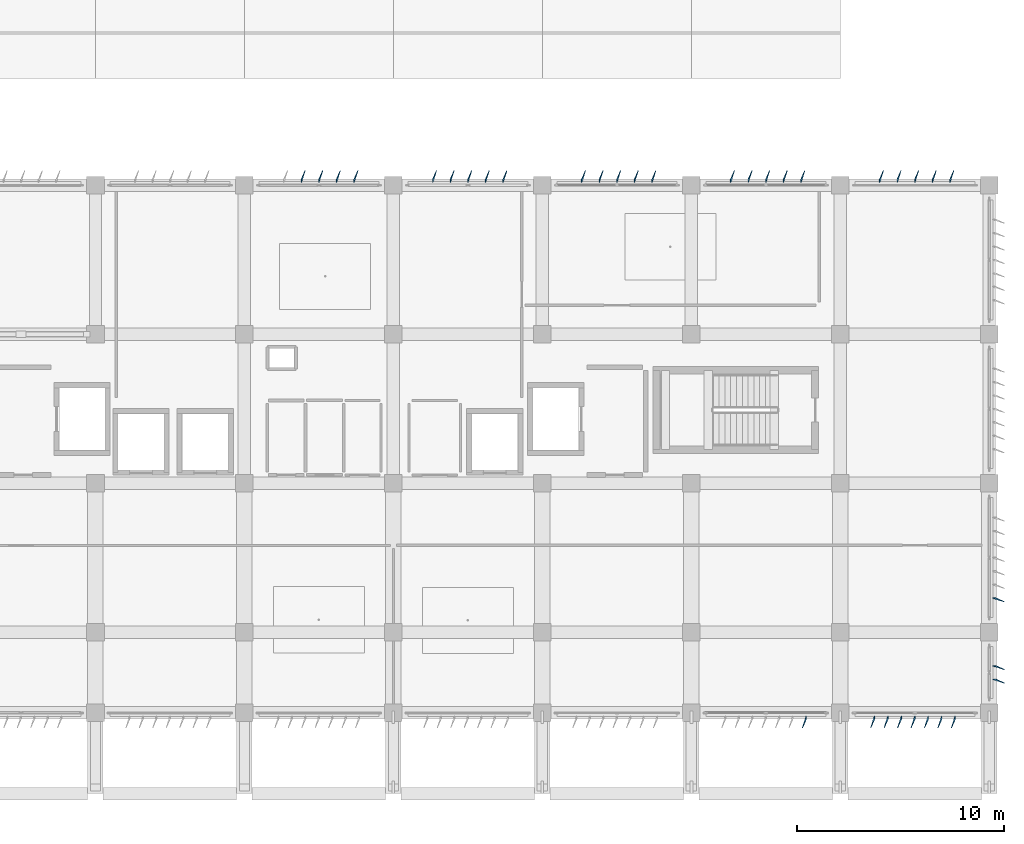
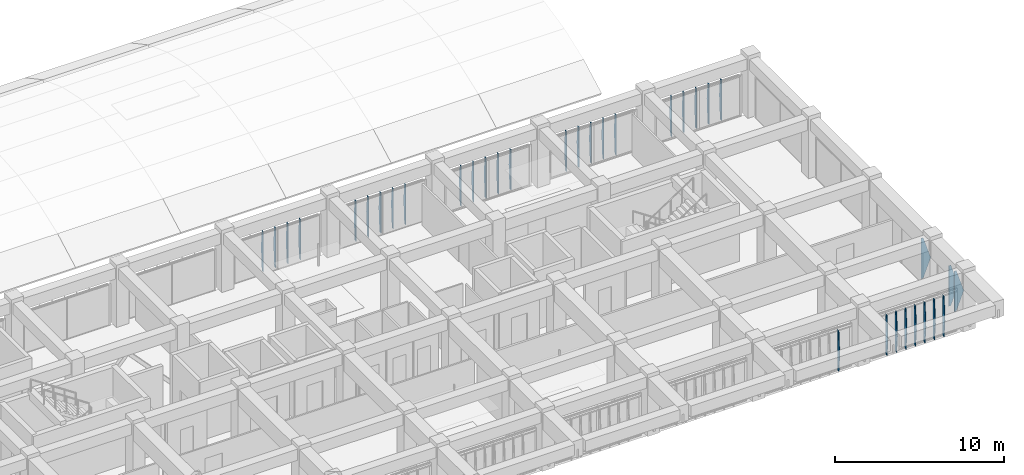
# One storey, part 52 of 56: 35 plates.
"""IFC4 building model written with IfcOpenShell, lengths in metres."""

from ifc_helpers import new_model, si_unit, direction, frame, origin, place, context, subcontext, project, spatial, polygons, material, layer, layer_set, type_object, element, save


model = new_model("IFC4")

# Units and contexts
model_context = context("Model", 3, precision=1e-05, world=origin(), true_north=direction((0.0, 1.0)))
body_context = subcontext(model_context, "Body", "Model", "MODEL_VIEW")
ifc_project = project(units=[si_unit("LENGTHUNIT", "METRE"), si_unit("AREAUNIT", "SQUARE_METRE"), si_unit("VOLUMEUNIT", "CUBIC_METRE"), si_unit("PLANEANGLEUNIT", "RADIAN"), si_unit("MASSUNIT", "GRAM", prefix="KILO")], contexts=[model_context])

# Site, building, storey
site_placement = place(None, origin())
site = spatial("IfcSite", under=ifc_project, at=site_placement, CompositionType="ELEMENT")
building_placement = place(site_placement, origin())
building = spatial("IfcBuilding", under=site, at=building_placement, Name="Kazehaya Institute of Natural Sciences", CompositionType="ELEMENT")
storey_placement = place(building_placement, frame((0.0, 0.0, 24.300048828125)))
storey = spatial("IfcBuildingStorey", under=building, at=storey_placement, Name="L05", CompositionType="ELEMENT", Elevation=24.300048828125)

# Plates
ifc_material = material(Name="Bronze-anodised aluminium alloy A6063S-T5", Category="aluminium")
ifc_layer_1 = layer(ifc_material, 0.02001953125, Name="Bronze-anodised aluminium alloy A6063S-T5", Category="aluminium")
ifc_layer_set_1 = layer_set([ifc_layer_1], Name="Bronze-anodised aluminium alloy A6063S-T5")
plate_type_1 = type_object("IfcPlateType", Name="FIN-DF-E1", PredefinedType="USERDEFINED", material=ifc_layer_set_1)
plate_1_placement = place(storey_placement, origin())
element("IfcPlate", 1, at=plate_1_placement, inside=storey, type_object=plate_type_1, Name="L05 folded diamond-pyramid shading fin FIN-L05-E-0342", ObjectType="SHADING_FIN", PredefinedType="USERDEFINED", context=body_context, shape_type="Tessellation", body=[
    polygons([(119.554931640625, 12.385009765625, 0.0400390625), (119.699951171875, 12.385009765625, 0.0400390625), (120.110107421875, 12.206298828125, 1.5), (119.699951171875, 12.385009765625, 2.9599609375), (119.554931640625, 12.385009765625, 2.9599609375), (119.554931640625, 12.364990234375, 0.0400390625), (119.699951171875, 12.364990234375, 0.0400390625), (120.110107421875, 12.186279296875, 1.5), (119.699951171875, 12.364990234375, 2.9599609375), (119.554931640625, 12.364990234375, 2.9599609375)], [[[1, 5, 4, 3, 2]], [[6, 7, 8, 9, 10]], [[1, 2, 7, 6]], [[2, 3, 8, 7]], [[3, 4, 9, 8]], [[4, 5, 10, 9]], [[5, 1, 6, 10]]], closed=True),
])
plate_2_placement = place(storey_placement, origin())
element("IfcPlate", 2, at=plate_2_placement, inside=storey, type_object=plate_type_1, Name="L05 folded diamond-pyramid shading fin FIN-L05-E-0343", ObjectType="SHADING_FIN", PredefinedType="USERDEFINED", context=body_context, shape_type="Tessellation", body=[
    polygons([(119.554931640625, 11.735107421875, 0.0400390625), (119.699951171875, 11.735107421875, 0.0400390625), (120.110107421875, 11.556396484375, 1.5), (119.699951171875, 11.735107421875, 2.9599609375), (119.554931640625, 11.735107421875, 2.9599609375), (119.554931640625, 11.715087890625, 0.0400390625), (119.699951171875, 11.715087890625, 0.0400390625), (120.110107421875, 11.536376953125, 1.5), (119.699951171875, 11.715087890625, 2.9599609375), (119.554931640625, 11.715087890625, 2.9599609375)], [[[1, 5, 4, 3, 2]], [[6, 7, 8, 9, 10]], [[1, 2, 7, 6]], [[2, 3, 8, 7]], [[3, 4, 9, 8]], [[4, 5, 10, 9]], [[5, 1, 6, 10]]], closed=True),
])
plate_3_placement = place(storey_placement, origin())
element("IfcPlate", 3, at=plate_3_placement, inside=storey, type_object=plate_type_1, Name="L05 folded diamond-pyramid shading fin FIN-L05-E-0357", ObjectType="SHADING_FIN", PredefinedType="USERDEFINED", context=body_context, shape_type="Tessellation", body=[
    polygons([(119.554931640625, 15.659912109375, 0.0400390625), (119.699951171875, 15.659912109375, 0.0400390625), (120.110107421875, 15.481201171875, 1.5), (119.699951171875, 15.659912109375, 2.9599609375), (119.554931640625, 15.659912109375, 2.9599609375), (119.554931640625, 15.639892578125, 0.0400390625), (119.699951171875, 15.639892578125, 0.0400390625), (120.110107421875, 15.461181640625, 1.5), (119.699951171875, 15.639892578125, 2.9599609375), (119.554931640625, 15.639892578125, 2.9599609375)], [[[1, 5, 4, 3, 2]], [[6, 7, 8, 9, 10]], [[1, 2, 7, 6]], [[2, 3, 8, 7]], [[3, 4, 9, 8]], [[4, 5, 10, 9]], [[5, 1, 6, 10]]], closed=True),
])
ifc_layer_2 = layer(ifc_material, 0.02001953125, Name="Bronze-anodised aluminium alloy A6063S-T5", Category="aluminium")
ifc_layer_set_2 = layer_set([ifc_layer_2], Name="Bronze-anodised aluminium alloy A6063S-T5")
plate_type_2 = type_object("IfcPlateType", Name="FIN-DF-N1", PredefinedType="USERDEFINED", material=ifc_layer_set_2)
plate_4_placement = place(storey_placement, origin())
element("IfcPlate", 4, at=plate_4_placement, inside=storey, type_object=plate_type_2, Name="L05 folded diamond-pyramid shading fin FIN-L05-N-0316", ObjectType="SHADING_FIN", PredefinedType="USERDEFINED", context=body_context, shape_type="Tessellation", body=[
    polygons([(86.139892578125, 35.7548828125, 0.0400390625), (86.139892578125, 35.89990234375, 0.0400390625), (86.318603515625, 36.31005859375, 1.5), (86.139892578125, 35.89990234375, 2.9599609375), (86.139892578125, 35.7548828125, 2.9599609375), (86.159912109375, 35.7548828125, 0.0400390625), (86.159912109375, 35.89990234375, 0.0400390625), (86.338623046875, 36.31005859375, 1.5), (86.159912109375, 35.89990234375, 2.9599609375), (86.159912109375, 35.7548828125, 2.9599609375)], [[[1, 5, 4, 3, 2]], [[6, 7, 8, 9, 10]], [[1, 2, 7, 6]], [[2, 3, 8, 7]], [[3, 4, 9, 8]], [[4, 5, 10, 9]], [[5, 1, 6, 10]]], closed=True),
])
plate_5_placement = place(storey_placement, origin())
element("IfcPlate", 5, at=plate_5_placement, inside=storey, type_object=plate_type_2, Name="L05 folded diamond-pyramid shading fin FIN-L05-N-0317", ObjectType="SHADING_FIN", PredefinedType="USERDEFINED", context=body_context, shape_type="Tessellation", body=[
    polygons([(86.989990234375, 35.7548828125, 0.0400390625), (86.989990234375, 35.89990234375, 0.0400390625), (87.168701171875, 36.31005859375, 1.5), (86.989990234375, 35.89990234375, 2.9599609375), (86.989990234375, 35.7548828125, 2.9599609375), (87.010009765625, 35.7548828125, 0.0400390625), (87.010009765625, 35.89990234375, 0.0400390625), (87.188720703125, 36.31005859375, 1.5), (87.010009765625, 35.89990234375, 2.9599609375), (87.010009765625, 35.7548828125, 2.9599609375)], [[[1, 5, 4, 3, 2]], [[6, 7, 8, 9, 10]], [[1, 2, 7, 6]], [[2, 3, 8, 7]], [[3, 4, 9, 8]], [[4, 5, 10, 9]], [[5, 1, 6, 10]]], closed=True),
])
plate_6_placement = place(storey_placement, origin())
element("IfcPlate", 6, at=plate_6_placement, inside=storey, type_object=plate_type_2, Name="L05 folded diamond-pyramid shading fin FIN-L05-N-0318", ObjectType="SHADING_FIN", PredefinedType="USERDEFINED", context=body_context, shape_type="Tessellation", body=[
    polygons([(87.840087890625, 35.7548828125, 0.0400390625), (87.840087890625, 35.89990234375, 0.0400390625), (88.018798828125, 36.31005859375, 1.5), (87.840087890625, 35.89990234375, 2.9599609375), (87.840087890625, 35.7548828125, 2.9599609375), (87.860107421875, 35.7548828125, 0.0400390625), (87.860107421875, 35.89990234375, 0.0400390625), (88.038818359375, 36.31005859375, 1.5), (87.860107421875, 35.89990234375, 2.9599609375), (87.860107421875, 35.7548828125, 2.9599609375)], [[[1, 5, 4, 3, 2]], [[6, 7, 8, 9, 10]], [[1, 2, 7, 6]], [[2, 3, 8, 7]], [[3, 4, 9, 8]], [[4, 5, 10, 9]], [[5, 1, 6, 10]]], closed=True),
])
plate_7_placement = place(storey_placement, origin())
element("IfcPlate", 7, at=plate_7_placement, inside=storey, type_object=plate_type_2, Name="L05 folded diamond-pyramid shading fin FIN-L05-N-0319", ObjectType="SHADING_FIN", PredefinedType="USERDEFINED", context=body_context, shape_type="Tessellation", body=[
    polygons([(88.68994140625, 35.7548828125, 0.0400390625), (88.68994140625, 35.89990234375, 0.0400390625), (88.86865234375, 36.31005859375, 1.5), (88.68994140625, 35.89990234375, 2.9599609375), (88.68994140625, 35.7548828125, 2.9599609375), (88.7099609375, 35.7548828125, 0.0400390625), (88.7099609375, 35.89990234375, 0.0400390625), (88.888671875, 36.31005859375, 1.5), (88.7099609375, 35.89990234375, 2.9599609375), (88.7099609375, 35.7548828125, 2.9599609375)], [[[1, 5, 4, 3, 2]], [[6, 7, 8, 9, 10]], [[1, 2, 7, 6]], [[2, 3, 8, 7]], [[3, 4, 9, 8]], [[4, 5, 10, 9]], [[5, 1, 6, 10]]], closed=True),
])
plate_8_placement = place(storey_placement, origin())
element("IfcPlate", 8, at=plate_8_placement, inside=storey, type_object=plate_type_2, Name="L05 folded diamond-pyramid shading fin FIN-L05-N-0320", ObjectType="SHADING_FIN", PredefinedType="USERDEFINED", context=body_context, shape_type="Tessellation", body=[
    polygons([(92.489990234375, 35.7548828125, 0.0400390625), (92.489990234375, 35.89990234375, 0.0400390625), (92.668701171875, 36.31005859375, 1.5), (92.489990234375, 35.89990234375, 2.9599609375), (92.489990234375, 35.7548828125, 2.9599609375), (92.510009765625, 35.7548828125, 0.0400390625), (92.510009765625, 35.89990234375, 0.0400390625), (92.688720703125, 36.31005859375, 1.5), (92.510009765625, 35.89990234375, 2.9599609375), (92.510009765625, 35.7548828125, 2.9599609375)], [[[1, 5, 4, 3, 2]], [[6, 7, 8, 9, 10]], [[1, 2, 7, 6]], [[2, 3, 8, 7]], [[3, 4, 9, 8]], [[4, 5, 10, 9]], [[5, 1, 6, 10]]], closed=True),
])
plate_9_placement = place(storey_placement, origin())
element("IfcPlate", 9, at=plate_9_placement, inside=storey, type_object=plate_type_2, Name="L05 folded diamond-pyramid shading fin FIN-L05-N-0321", ObjectType="SHADING_FIN", PredefinedType="USERDEFINED", context=body_context, shape_type="Tessellation", body=[
    polygons([(93.340087890625, 35.7548828125, 0.0400390625), (93.340087890625, 35.89990234375, 0.0400390625), (93.518798828125, 36.31005859375, 1.5), (93.340087890625, 35.89990234375, 2.9599609375), (93.340087890625, 35.7548828125, 2.9599609375), (93.360107421875, 35.7548828125, 0.0400390625), (93.360107421875, 35.89990234375, 0.0400390625), (93.538818359375, 36.31005859375, 1.5), (93.360107421875, 35.89990234375, 2.9599609375), (93.360107421875, 35.7548828125, 2.9599609375)], [[[1, 5, 4, 3, 2]], [[6, 7, 8, 9, 10]], [[1, 2, 7, 6]], [[2, 3, 8, 7]], [[3, 4, 9, 8]], [[4, 5, 10, 9]], [[5, 1, 6, 10]]], closed=True),
])
plate_10_placement = place(storey_placement, origin())
element("IfcPlate", 10, at=plate_10_placement, inside=storey, type_object=plate_type_2, Name="L05 folded diamond-pyramid shading fin FIN-L05-N-0322", ObjectType="SHADING_FIN", PredefinedType="USERDEFINED", context=body_context, shape_type="Tessellation", body=[
    polygons([(94.18994140625, 35.7548828125, 0.0400390625), (94.18994140625, 35.89990234375, 0.0400390625), (94.36865234375, 36.31005859375, 1.5), (94.18994140625, 35.89990234375, 2.9599609375), (94.18994140625, 35.7548828125, 2.9599609375), (94.2099609375, 35.7548828125, 0.0400390625), (94.2099609375, 35.89990234375, 0.0400390625), (94.388671875, 36.31005859375, 1.5), (94.2099609375, 35.89990234375, 2.9599609375), (94.2099609375, 35.7548828125, 2.9599609375)], [[[1, 5, 4, 3, 2]], [[6, 7, 8, 9, 10]], [[1, 2, 7, 6]], [[2, 3, 8, 7]], [[3, 4, 9, 8]], [[4, 5, 10, 9]], [[5, 1, 6, 10]]], closed=True),
])
plate_11_placement = place(storey_placement, origin())
element("IfcPlate", 11, at=plate_11_placement, inside=storey, type_object=plate_type_2, Name="L05 folded diamond-pyramid shading fin FIN-L05-N-0323", ObjectType="SHADING_FIN", PredefinedType="USERDEFINED", context=body_context, shape_type="Tessellation", body=[
    polygons([(95.0400390625, 35.7548828125, 0.0400390625), (95.0400390625, 35.89990234375, 0.0400390625), (95.21875, 36.31005859375, 1.5), (95.0400390625, 35.89990234375, 2.9599609375), (95.0400390625, 35.7548828125, 2.9599609375), (95.06005859375, 35.7548828125, 0.0400390625), (95.06005859375, 35.89990234375, 0.0400390625), (95.23876953125, 36.31005859375, 1.5), (95.06005859375, 35.89990234375, 2.9599609375), (95.06005859375, 35.7548828125, 2.9599609375)], [[[1, 5, 4, 3, 2]], [[6, 7, 8, 9, 10]], [[1, 2, 7, 6]], [[2, 3, 8, 7]], [[3, 4, 9, 8]], [[4, 5, 10, 9]], [[5, 1, 6, 10]]], closed=True),
])
plate_12_placement = place(storey_placement, origin())
element("IfcPlate", 12, at=plate_12_placement, inside=storey, type_object=plate_type_2, Name="L05 folded diamond-pyramid shading fin FIN-L05-N-0324", ObjectType="SHADING_FIN", PredefinedType="USERDEFINED", context=body_context, shape_type="Tessellation", body=[
    polygons([(95.889892578125, 35.7548828125, 0.0400390625), (95.889892578125, 35.89990234375, 0.0400390625), (96.068603515625, 36.31005859375, 1.5), (95.889892578125, 35.89990234375, 2.9599609375), (95.889892578125, 35.7548828125, 2.9599609375), (95.909912109375, 35.7548828125, 0.0400390625), (95.909912109375, 35.89990234375, 0.0400390625), (96.088623046875, 36.31005859375, 1.5), (95.909912109375, 35.89990234375, 2.9599609375), (95.909912109375, 35.7548828125, 2.9599609375)], [[[1, 5, 4, 3, 2]], [[6, 7, 8, 9, 10]], [[1, 2, 7, 6]], [[2, 3, 8, 7]], [[3, 4, 9, 8]], [[4, 5, 10, 9]], [[5, 1, 6, 10]]], closed=True),
])
plate_13_placement = place(storey_placement, origin())
element("IfcPlate", 13, at=plate_13_placement, inside=storey, type_object=plate_type_2, Name="L05 folded diamond-pyramid shading fin FIN-L05-N-0325", ObjectType="SHADING_FIN", PredefinedType="USERDEFINED", context=body_context, shape_type="Tessellation", body=[
    polygons([(99.68994140625, 35.7548828125, 0.0400390625), (99.68994140625, 35.89990234375, 0.0400390625), (99.86865234375, 36.31005859375, 1.5), (99.68994140625, 35.89990234375, 2.9599609375), (99.68994140625, 35.7548828125, 2.9599609375), (99.7099609375, 35.7548828125, 0.0400390625), (99.7099609375, 35.89990234375, 0.0400390625), (99.888671875, 36.31005859375, 1.5), (99.7099609375, 35.89990234375, 2.9599609375), (99.7099609375, 35.7548828125, 2.9599609375)], [[[1, 5, 4, 3, 2]], [[6, 7, 8, 9, 10]], [[1, 2, 7, 6]], [[2, 3, 8, 7]], [[3, 4, 9, 8]], [[4, 5, 10, 9]], [[5, 1, 6, 10]]], closed=True),
])
plate_14_placement = place(storey_placement, origin())
element("IfcPlate", 14, at=plate_14_placement, inside=storey, type_object=plate_type_2, Name="L05 folded diamond-pyramid shading fin FIN-L05-N-0326", ObjectType="SHADING_FIN", PredefinedType="USERDEFINED", context=body_context, shape_type="Tessellation", body=[
    polygons([(100.5400390625, 35.7548828125, 0.0400390625), (100.5400390625, 35.89990234375, 0.0400390625), (100.71875, 36.31005859375, 1.5), (100.5400390625, 35.89990234375, 2.9599609375), (100.5400390625, 35.7548828125, 2.9599609375), (100.56005859375, 35.7548828125, 0.0400390625), (100.56005859375, 35.89990234375, 0.0400390625), (100.73876953125, 36.31005859375, 1.5), (100.56005859375, 35.89990234375, 2.9599609375), (100.56005859375, 35.7548828125, 2.9599609375)], [[[1, 5, 4, 3, 2]], [[6, 7, 8, 9, 10]], [[1, 2, 7, 6]], [[2, 3, 8, 7]], [[3, 4, 9, 8]], [[4, 5, 10, 9]], [[5, 1, 6, 10]]], closed=True),
])
plate_15_placement = place(storey_placement, origin())
element("IfcPlate", 15, at=plate_15_placement, inside=storey, type_object=plate_type_2, Name="L05 folded diamond-pyramid shading fin FIN-L05-N-0327", ObjectType="SHADING_FIN", PredefinedType="USERDEFINED", context=body_context, shape_type="Tessellation", body=[
    polygons([(101.389892578125, 35.7548828125, 0.0400390625), (101.389892578125, 35.89990234375, 0.0400390625), (101.568603515625, 36.31005859375, 1.5), (101.389892578125, 35.89990234375, 2.9599609375), (101.389892578125, 35.7548828125, 2.9599609375), (101.409912109375, 35.7548828125, 0.0400390625), (101.409912109375, 35.89990234375, 0.0400390625), (101.588623046875, 36.31005859375, 1.5), (101.409912109375, 35.89990234375, 2.9599609375), (101.409912109375, 35.7548828125, 2.9599609375)], [[[1, 5, 4, 3, 2]], [[6, 7, 8, 9, 10]], [[1, 2, 7, 6]], [[2, 3, 8, 7]], [[3, 4, 9, 8]], [[4, 5, 10, 9]], [[5, 1, 6, 10]]], closed=True),
])
plate_16_placement = place(storey_placement, origin())
element("IfcPlate", 16, at=plate_16_placement, inside=storey, type_object=plate_type_2, Name="L05 folded diamond-pyramid shading fin FIN-L05-N-0328", ObjectType="SHADING_FIN", PredefinedType="USERDEFINED", context=body_context, shape_type="Tessellation", body=[
    polygons([(102.239990234375, 35.7548828125, 0.0400390625), (102.239990234375, 35.89990234375, 0.0400390625), (102.418701171875, 36.31005859375, 1.5), (102.239990234375, 35.89990234375, 2.9599609375), (102.239990234375, 35.7548828125, 2.9599609375), (102.260009765625, 35.7548828125, 0.0400390625), (102.260009765625, 35.89990234375, 0.0400390625), (102.438720703125, 36.31005859375, 1.5), (102.260009765625, 35.89990234375, 2.9599609375), (102.260009765625, 35.7548828125, 2.9599609375)], [[[1, 5, 4, 3, 2]], [[6, 7, 8, 9, 10]], [[1, 2, 7, 6]], [[2, 3, 8, 7]], [[3, 4, 9, 8]], [[4, 5, 10, 9]], [[5, 1, 6, 10]]], closed=True),
])
plate_17_placement = place(storey_placement, origin())
element("IfcPlate", 17, at=plate_17_placement, inside=storey, type_object=plate_type_2, Name="L05 folded diamond-pyramid shading fin FIN-L05-N-0329", ObjectType="SHADING_FIN", PredefinedType="USERDEFINED", context=body_context, shape_type="Tessellation", body=[
    polygons([(103.090087890625, 35.7548828125, 0.0400390625), (103.090087890625, 35.89990234375, 0.0400390625), (103.268798828125, 36.31005859375, 1.5), (103.090087890625, 35.89990234375, 2.9599609375), (103.090087890625, 35.7548828125, 2.9599609375), (103.110107421875, 35.7548828125, 0.0400390625), (103.110107421875, 35.89990234375, 0.0400390625), (103.288818359375, 36.31005859375, 1.5), (103.110107421875, 35.89990234375, 2.9599609375), (103.110107421875, 35.7548828125, 2.9599609375)], [[[1, 5, 4, 3, 2]], [[6, 7, 8, 9, 10]], [[1, 2, 7, 6]], [[2, 3, 8, 7]], [[3, 4, 9, 8]], [[4, 5, 10, 9]], [[5, 1, 6, 10]]], closed=True),
])
plate_18_placement = place(storey_placement, origin())
element("IfcPlate", 18, at=plate_18_placement, inside=storey, type_object=plate_type_2, Name="L05 folded diamond-pyramid shading fin FIN-L05-N-0330", ObjectType="SHADING_FIN", PredefinedType="USERDEFINED", context=body_context, shape_type="Tessellation", body=[
    polygons([(106.889892578125, 35.7548828125, 0.0400390625), (106.889892578125, 35.89990234375, 0.0400390625), (107.068603515625, 36.31005859375, 1.5), (106.889892578125, 35.89990234375, 2.9599609375), (106.889892578125, 35.7548828125, 2.9599609375), (106.909912109375, 35.7548828125, 0.0400390625), (106.909912109375, 35.89990234375, 0.0400390625), (107.088623046875, 36.31005859375, 1.5), (106.909912109375, 35.89990234375, 2.9599609375), (106.909912109375, 35.7548828125, 2.9599609375)], [[[1, 5, 4, 3, 2]], [[6, 7, 8, 9, 10]], [[1, 2, 7, 6]], [[2, 3, 8, 7]], [[3, 4, 9, 8]], [[4, 5, 10, 9]], [[5, 1, 6, 10]]], closed=True),
])
plate_19_placement = place(storey_placement, origin())
element("IfcPlate", 19, at=plate_19_placement, inside=storey, type_object=plate_type_2, Name="L05 folded diamond-pyramid shading fin FIN-L05-N-0331", ObjectType="SHADING_FIN", PredefinedType="USERDEFINED", context=body_context, shape_type="Tessellation", body=[
    polygons([(107.739990234375, 35.7548828125, 0.0400390625), (107.739990234375, 35.89990234375, 0.0400390625), (107.918701171875, 36.31005859375, 1.5), (107.739990234375, 35.89990234375, 2.9599609375), (107.739990234375, 35.7548828125, 2.9599609375), (107.760009765625, 35.7548828125, 0.0400390625), (107.760009765625, 35.89990234375, 0.0400390625), (107.938720703125, 36.31005859375, 1.5), (107.760009765625, 35.89990234375, 2.9599609375), (107.760009765625, 35.7548828125, 2.9599609375)], [[[1, 5, 4, 3, 2]], [[6, 7, 8, 9, 10]], [[1, 2, 7, 6]], [[2, 3, 8, 7]], [[3, 4, 9, 8]], [[4, 5, 10, 9]], [[5, 1, 6, 10]]], closed=True),
])
plate_20_placement = place(storey_placement, origin())
element("IfcPlate", 20, at=plate_20_placement, inside=storey, type_object=plate_type_2, Name="L05 folded diamond-pyramid shading fin FIN-L05-N-0332", ObjectType="SHADING_FIN", PredefinedType="USERDEFINED", context=body_context, shape_type="Tessellation", body=[
    polygons([(108.590087890625, 35.7548828125, 0.0400390625), (108.590087890625, 35.89990234375, 0.0400390625), (108.768798828125, 36.31005859375, 1.5), (108.590087890625, 35.89990234375, 2.9599609375), (108.590087890625, 35.7548828125, 2.9599609375), (108.610107421875, 35.7548828125, 0.0400390625), (108.610107421875, 35.89990234375, 0.0400390625), (108.788818359375, 36.31005859375, 1.5), (108.610107421875, 35.89990234375, 2.9599609375), (108.610107421875, 35.7548828125, 2.9599609375)], [[[1, 5, 4, 3, 2]], [[6, 7, 8, 9, 10]], [[1, 2, 7, 6]], [[2, 3, 8, 7]], [[3, 4, 9, 8]], [[4, 5, 10, 9]], [[5, 1, 6, 10]]], closed=True),
])
plate_21_placement = place(storey_placement, origin())
element("IfcPlate", 21, at=plate_21_placement, inside=storey, type_object=plate_type_2, Name="L05 folded diamond-pyramid shading fin FIN-L05-N-0333", ObjectType="SHADING_FIN", PredefinedType="USERDEFINED", context=body_context, shape_type="Tessellation", body=[
    polygons([(109.43994140625, 35.7548828125, 0.0400390625), (109.43994140625, 35.89990234375, 0.0400390625), (109.61865234375, 36.31005859375, 1.5), (109.43994140625, 35.89990234375, 2.9599609375), (109.43994140625, 35.7548828125, 2.9599609375), (109.4599609375, 35.7548828125, 0.0400390625), (109.4599609375, 35.89990234375, 0.0400390625), (109.638671875, 36.31005859375, 1.5), (109.4599609375, 35.89990234375, 2.9599609375), (109.4599609375, 35.7548828125, 2.9599609375)], [[[1, 5, 4, 3, 2]], [[6, 7, 8, 9, 10]], [[1, 2, 7, 6]], [[2, 3, 8, 7]], [[3, 4, 9, 8]], [[4, 5, 10, 9]], [[5, 1, 6, 10]]], closed=True),
])
plate_22_placement = place(storey_placement, origin())
element("IfcPlate", 22, at=plate_22_placement, inside=storey, type_object=plate_type_2, Name="L05 folded diamond-pyramid shading fin FIN-L05-N-0334", ObjectType="SHADING_FIN", PredefinedType="USERDEFINED", context=body_context, shape_type="Tessellation", body=[
    polygons([(110.2900390625, 35.7548828125, 0.0400390625), (110.2900390625, 35.89990234375, 0.0400390625), (110.46875, 36.31005859375, 1.5), (110.2900390625, 35.89990234375, 2.9599609375), (110.2900390625, 35.7548828125, 2.9599609375), (110.31005859375, 35.7548828125, 0.0400390625), (110.31005859375, 35.89990234375, 0.0400390625), (110.48876953125, 36.31005859375, 1.5), (110.31005859375, 35.89990234375, 2.9599609375), (110.31005859375, 35.7548828125, 2.9599609375)], [[[1, 5, 4, 3, 2]], [[6, 7, 8, 9, 10]], [[1, 2, 7, 6]], [[2, 3, 8, 7]], [[3, 4, 9, 8]], [[4, 5, 10, 9]], [[5, 1, 6, 10]]], closed=True),
])
plate_23_placement = place(storey_placement, origin())
element("IfcPlate", 23, at=plate_23_placement, inside=storey, type_object=plate_type_2, Name="L05 folded diamond-pyramid shading fin FIN-L05-N-0335", ObjectType="SHADING_FIN", PredefinedType="USERDEFINED", context=body_context, shape_type="Tessellation", body=[
    polygons([(114.090087890625, 35.7548828125, 0.0400390625), (114.090087890625, 35.89990234375, 0.0400390625), (114.268798828125, 36.31005859375, 1.5), (114.090087890625, 35.89990234375, 2.9599609375), (114.090087890625, 35.7548828125, 2.9599609375), (114.110107421875, 35.7548828125, 0.0400390625), (114.110107421875, 35.89990234375, 0.0400390625), (114.288818359375, 36.31005859375, 1.5), (114.110107421875, 35.89990234375, 2.9599609375), (114.110107421875, 35.7548828125, 2.9599609375)], [[[1, 5, 4, 3, 2]], [[6, 7, 8, 9, 10]], [[1, 2, 7, 6]], [[2, 3, 8, 7]], [[3, 4, 9, 8]], [[4, 5, 10, 9]], [[5, 1, 6, 10]]], closed=True),
])
plate_24_placement = place(storey_placement, origin())
element("IfcPlate", 24, at=plate_24_placement, inside=storey, type_object=plate_type_2, Name="L05 folded diamond-pyramid shading fin FIN-L05-N-0336", ObjectType="SHADING_FIN", PredefinedType="USERDEFINED", context=body_context, shape_type="Tessellation", body=[
    polygons([(114.93994140625, 35.7548828125, 0.0400390625), (114.93994140625, 35.89990234375, 0.0400390625), (115.11865234375, 36.31005859375, 1.5), (114.93994140625, 35.89990234375, 2.9599609375), (114.93994140625, 35.7548828125, 2.9599609375), (114.9599609375, 35.7548828125, 0.0400390625), (114.9599609375, 35.89990234375, 0.0400390625), (115.138671875, 36.31005859375, 1.5), (114.9599609375, 35.89990234375, 2.9599609375), (114.9599609375, 35.7548828125, 2.9599609375)], [[[1, 5, 4, 3, 2]], [[6, 7, 8, 9, 10]], [[1, 2, 7, 6]], [[2, 3, 8, 7]], [[3, 4, 9, 8]], [[4, 5, 10, 9]], [[5, 1, 6, 10]]], closed=True),
])
plate_25_placement = place(storey_placement, origin())
element("IfcPlate", 25, at=plate_25_placement, inside=storey, type_object=plate_type_2, Name="L05 folded diamond-pyramid shading fin FIN-L05-N-0337", ObjectType="SHADING_FIN", PredefinedType="USERDEFINED", context=body_context, shape_type="Tessellation", body=[
    polygons([(115.7900390625, 35.7548828125, 0.0400390625), (115.7900390625, 35.89990234375, 0.0400390625), (115.96875, 36.31005859375, 1.5), (115.7900390625, 35.89990234375, 2.9599609375), (115.7900390625, 35.7548828125, 2.9599609375), (115.81005859375, 35.7548828125, 0.0400390625), (115.81005859375, 35.89990234375, 0.0400390625), (115.98876953125, 36.31005859375, 1.5), (115.81005859375, 35.89990234375, 2.9599609375), (115.81005859375, 35.7548828125, 2.9599609375)], [[[1, 5, 4, 3, 2]], [[6, 7, 8, 9, 10]], [[1, 2, 7, 6]], [[2, 3, 8, 7]], [[3, 4, 9, 8]], [[4, 5, 10, 9]], [[5, 1, 6, 10]]], closed=True),
])
plate_26_placement = place(storey_placement, origin())
element("IfcPlate", 26, at=plate_26_placement, inside=storey, type_object=plate_type_2, Name="L05 folded diamond-pyramid shading fin FIN-L05-N-0338", ObjectType="SHADING_FIN", PredefinedType="USERDEFINED", context=body_context, shape_type="Tessellation", body=[
    polygons([(116.639892578125, 35.7548828125, 0.0400390625), (116.639892578125, 35.89990234375, 0.0400390625), (116.818603515625, 36.31005859375, 1.5), (116.639892578125, 35.89990234375, 2.9599609375), (116.639892578125, 35.7548828125, 2.9599609375), (116.659912109375, 35.7548828125, 0.0400390625), (116.659912109375, 35.89990234375, 0.0400390625), (116.838623046875, 36.31005859375, 1.5), (116.659912109375, 35.89990234375, 2.9599609375), (116.659912109375, 35.7548828125, 2.9599609375)], [[[1, 5, 4, 3, 2]], [[6, 7, 8, 9, 10]], [[1, 2, 7, 6]], [[2, 3, 8, 7]], [[3, 4, 9, 8]], [[4, 5, 10, 9]], [[5, 1, 6, 10]]], closed=True),
])
plate_27_placement = place(storey_placement, origin())
element("IfcPlate", 27, at=plate_27_placement, inside=storey, type_object=plate_type_2, Name="L05 folded diamond-pyramid shading fin FIN-L05-N-0339", ObjectType="SHADING_FIN", PredefinedType="USERDEFINED", context=body_context, shape_type="Tessellation", body=[
    polygons([(117.489990234375, 35.7548828125, 0.0400390625), (117.489990234375, 35.89990234375, 0.0400390625), (117.668701171875, 36.31005859375, 1.5), (117.489990234375, 35.89990234375, 2.9599609375), (117.489990234375, 35.7548828125, 2.9599609375), (117.510009765625, 35.7548828125, 0.0400390625), (117.510009765625, 35.89990234375, 0.0400390625), (117.688720703125, 36.31005859375, 1.5), (117.510009765625, 35.89990234375, 2.9599609375), (117.510009765625, 35.7548828125, 2.9599609375)], [[[1, 5, 4, 3, 2]], [[6, 7, 8, 9, 10]], [[1, 2, 7, 6]], [[2, 3, 8, 7]], [[3, 4, 9, 8]], [[4, 5, 10, 9]], [[5, 1, 6, 10]]], closed=True),
])
ifc_layer_3 = layer(ifc_material, 0.02001953125, Name="Bronze-anodised aluminium alloy A6063S-T5", Category="aluminium")
ifc_layer_set_3 = layer_set([ifc_layer_3], Name="Bronze-anodised aluminium alloy A6063S-T5")
plate_type_3 = type_object("IfcPlateType", Name="FIN-DF-S1", PredefinedType="USERDEFINED", material=ifc_layer_set_3)
plate_28_placement = place(storey_placement, origin())
element("IfcPlate", 28, at=plate_28_placement, inside=storey, type_object=plate_type_3, Name="L05 folded diamond-pyramid shading fin FIN-L05-S-0232", ObjectType="SHADING_FIN", PredefinedType="USERDEFINED", context=body_context, shape_type="Tessellation", body=[
    polygons([(117.760009765625, 9.945068359375, 0.0400390625), (117.760009765625, 9.800048828125, 0.0400390625), (117.581298828125, 9.389892578125, 1.5), (117.760009765625, 9.800048828125, 2.9599609375), (117.760009765625, 9.945068359375, 2.9599609375), (117.739990234375, 9.945068359375, 0.0400390625), (117.739990234375, 9.800048828125, 0.0400390625), (117.561279296875, 9.389892578125, 1.5), (117.739990234375, 9.800048828125, 2.9599609375), (117.739990234375, 9.945068359375, 2.9599609375)], [[[1, 5, 4, 3, 2]], [[6, 7, 8, 9, 10]], [[1, 2, 7, 6]], [[2, 3, 8, 7]], [[3, 4, 9, 8]], [[4, 5, 10, 9]], [[5, 1, 6, 10]]], closed=True),
])
plate_29_placement = place(storey_placement, origin())
element("IfcPlate", 29, at=plate_29_placement, inside=storey, type_object=plate_type_3, Name="L05 folded diamond-pyramid shading fin FIN-L05-S-0233", ObjectType="SHADING_FIN", PredefinedType="USERDEFINED", context=body_context, shape_type="Tessellation", body=[
    polygons([(117.110107421875, 9.945068359375, 0.0400390625), (117.110107421875, 9.800048828125, 0.0400390625), (116.931396484375, 9.389892578125, 1.5), (117.110107421875, 9.800048828125, 2.9599609375), (117.110107421875, 9.945068359375, 2.9599609375), (117.090087890625, 9.945068359375, 0.0400390625), (117.090087890625, 9.800048828125, 0.0400390625), (116.911376953125, 9.389892578125, 1.5), (117.090087890625, 9.800048828125, 2.9599609375), (117.090087890625, 9.945068359375, 2.9599609375)], [[[1, 5, 4, 3, 2]], [[6, 7, 8, 9, 10]], [[1, 2, 7, 6]], [[2, 3, 8, 7]], [[3, 4, 9, 8]], [[4, 5, 10, 9]], [[5, 1, 6, 10]]], closed=True),
])
plate_30_placement = place(storey_placement, origin())
element("IfcPlate", 30, at=plate_30_placement, inside=storey, type_object=plate_type_3, Name="L05 folded diamond-pyramid shading fin FIN-L05-S-0234", ObjectType="SHADING_FIN", PredefinedType="USERDEFINED", context=body_context, shape_type="Tessellation", body=[
    polygons([(116.4599609375, 9.945068359375, 0.0400390625), (116.4599609375, 9.800048828125, 0.0400390625), (116.28125, 9.389892578125, 1.5), (116.4599609375, 9.800048828125, 2.9599609375), (116.4599609375, 9.945068359375, 2.9599609375), (116.43994140625, 9.945068359375, 0.0400390625), (116.43994140625, 9.800048828125, 0.0400390625), (116.26123046875, 9.389892578125, 1.5), (116.43994140625, 9.800048828125, 2.9599609375), (116.43994140625, 9.945068359375, 2.9599609375)], [[[1, 5, 4, 3, 2]], [[6, 7, 8, 9, 10]], [[1, 2, 7, 6]], [[2, 3, 8, 7]], [[3, 4, 9, 8]], [[4, 5, 10, 9]], [[5, 1, 6, 10]]], closed=True),
])
plate_31_placement = place(storey_placement, origin())
element("IfcPlate", 31, at=plate_31_placement, inside=storey, type_object=plate_type_3, Name="L05 folded diamond-pyramid shading fin FIN-L05-S-0235", ObjectType="SHADING_FIN", PredefinedType="USERDEFINED", context=body_context, shape_type="Tessellation", body=[
    polygons([(115.81005859375, 9.945068359375, 0.0400390625), (115.81005859375, 9.800048828125, 0.0400390625), (115.63134765625, 9.389892578125, 1.5), (115.81005859375, 9.800048828125, 2.9599609375), (115.81005859375, 9.945068359375, 2.9599609375), (115.7900390625, 9.945068359375, 0.0400390625), (115.7900390625, 9.800048828125, 0.0400390625), (115.611328125, 9.389892578125, 1.5), (115.7900390625, 9.800048828125, 2.9599609375), (115.7900390625, 9.945068359375, 2.9599609375)], [[[1, 5, 4, 3, 2]], [[6, 7, 8, 9, 10]], [[1, 2, 7, 6]], [[2, 3, 8, 7]], [[3, 4, 9, 8]], [[4, 5, 10, 9]], [[5, 1, 6, 10]]], closed=True),
])
plate_32_placement = place(storey_placement, origin())
element("IfcPlate", 32, at=plate_32_placement, inside=storey, type_object=plate_type_3, Name="L05 folded diamond-pyramid shading fin FIN-L05-S-0236", ObjectType="SHADING_FIN", PredefinedType="USERDEFINED", context=body_context, shape_type="Tessellation", body=[
    polygons([(115.159912109375, 9.945068359375, 0.0400390625), (115.159912109375, 9.800048828125, 0.0400390625), (114.981201171875, 9.389892578125, 1.5), (115.159912109375, 9.800048828125, 2.9599609375), (115.159912109375, 9.945068359375, 2.9599609375), (115.139892578125, 9.945068359375, 0.0400390625), (115.139892578125, 9.800048828125, 0.0400390625), (114.961181640625, 9.389892578125, 1.5), (115.139892578125, 9.800048828125, 2.9599609375), (115.139892578125, 9.945068359375, 2.9599609375)], [[[1, 5, 4, 3, 2]], [[6, 7, 8, 9, 10]], [[1, 2, 7, 6]], [[2, 3, 8, 7]], [[3, 4, 9, 8]], [[4, 5, 10, 9]], [[5, 1, 6, 10]]], closed=True),
])
plate_33_placement = place(storey_placement, origin())
element("IfcPlate", 33, at=plate_33_placement, inside=storey, type_object=plate_type_3, Name="L05 folded diamond-pyramid shading fin FIN-L05-S-0237", ObjectType="SHADING_FIN", PredefinedType="USERDEFINED", context=body_context, shape_type="Tessellation", body=[
    polygons([(114.510009765625, 9.945068359375, 0.0400390625), (114.510009765625, 9.800048828125, 0.0400390625), (114.331298828125, 9.389892578125, 1.5), (114.510009765625, 9.800048828125, 2.9599609375), (114.510009765625, 9.945068359375, 2.9599609375), (114.489990234375, 9.945068359375, 0.0400390625), (114.489990234375, 9.800048828125, 0.0400390625), (114.311279296875, 9.389892578125, 1.5), (114.489990234375, 9.800048828125, 2.9599609375), (114.489990234375, 9.945068359375, 2.9599609375)], [[[1, 5, 4, 3, 2]], [[6, 7, 8, 9, 10]], [[1, 2, 7, 6]], [[2, 3, 8, 7]], [[3, 4, 9, 8]], [[4, 5, 10, 9]], [[5, 1, 6, 10]]], closed=True),
])
plate_34_placement = place(storey_placement, origin())
element("IfcPlate", 34, at=plate_34_placement, inside=storey, type_object=plate_type_3, Name="L05 folded diamond-pyramid shading fin FIN-L05-S-0238", ObjectType="SHADING_FIN", PredefinedType="USERDEFINED", context=body_context, shape_type="Tessellation", body=[
    polygons([(113.860107421875, 9.945068359375, 0.0400390625), (113.860107421875, 9.800048828125, 0.0400390625), (113.681396484375, 9.389892578125, 1.5), (113.860107421875, 9.800048828125, 2.9599609375), (113.860107421875, 9.945068359375, 2.9599609375), (113.840087890625, 9.945068359375, 0.0400390625), (113.840087890625, 9.800048828125, 0.0400390625), (113.661376953125, 9.389892578125, 1.5), (113.840087890625, 9.800048828125, 2.9599609375), (113.840087890625, 9.945068359375, 2.9599609375)], [[[1, 5, 4, 3, 2]], [[6, 7, 8, 9, 10]], [[1, 2, 7, 6]], [[2, 3, 8, 7]], [[3, 4, 9, 8]], [[4, 5, 10, 9]], [[5, 1, 6, 10]]], closed=True),
])
plate_35_placement = place(storey_placement, origin())
element("IfcPlate", 35, at=plate_35_placement, inside=storey, type_object=plate_type_3, Name="L05 folded diamond-pyramid shading fin FIN-L05-S-0239", ObjectType="SHADING_FIN", PredefinedType="USERDEFINED", context=body_context, shape_type="Tessellation", body=[
    polygons([(110.56005859375, 9.945068359375, 0.0400390625), (110.56005859375, 9.800048828125, 0.0400390625), (110.38134765625, 9.389892578125, 1.5), (110.56005859375, 9.800048828125, 2.9599609375), (110.56005859375, 9.945068359375, 2.9599609375), (110.5400390625, 9.945068359375, 0.0400390625), (110.5400390625, 9.800048828125, 0.0400390625), (110.361328125, 9.389892578125, 1.5), (110.5400390625, 9.800048828125, 2.9599609375), (110.5400390625, 9.945068359375, 2.9599609375)], [[[1, 5, 4, 3, 2]], [[6, 7, 8, 9, 10]], [[1, 2, 7, 6]], [[2, 3, 8, 7]], [[3, 4, 9, 8]], [[4, 5, 10, 9]], [[5, 1, 6, 10]]], closed=True),
])

save(model, "model.ifc")
